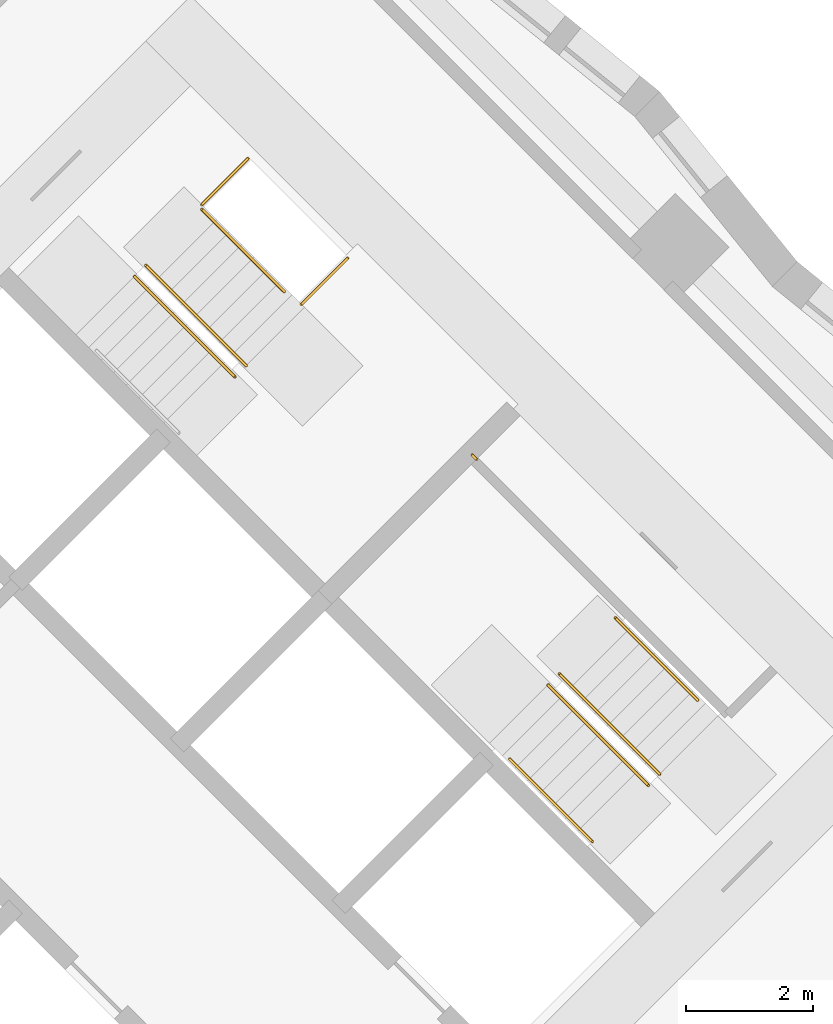
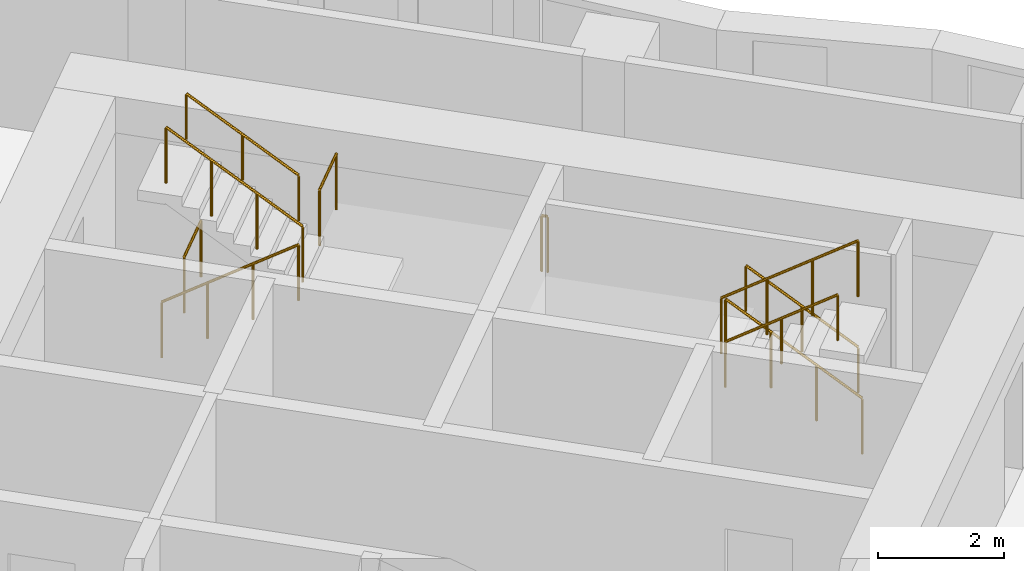
# One storey, part 13 of 13: 10 railings.
"""IFC4 building model written with IfcOpenShell, lengths in metres."""

from ifc_helpers import new_model, si_unit, direction, frame, origin, origin_2d, place, context, subcontext, project, spatial, circle, extrude, material, type_object, element, save


model = new_model("IFC4")

# Units and contexts
model_context = context("Model", 3, precision=1e-05, world=origin(), true_north=direction((0.0, 1.0)))
body_context = subcontext(model_context, "Body", "Model", "MODEL_VIEW")
ifc_project = project(units=[si_unit("LENGTHUNIT", "METRE"), si_unit("AREAUNIT", "SQUARE_METRE"), si_unit("VOLUMEUNIT", "CUBIC_METRE"), si_unit("PLANEANGLEUNIT", "RADIAN"), si_unit("MASSUNIT", "GRAM", prefix="KILO")], contexts=[model_context])

# Site, building, storey
site_placement = place(None, origin())
site = spatial("IfcSite", under=ifc_project, at=site_placement, CompositionType="ELEMENT")
building_placement = place(site_placement, origin())
building = spatial("IfcBuilding", under=site, at=building_placement, Name="Windrow Commons", CompositionType="ELEMENT")
storey_placement = place(building_placement, frame((0.0, 0.0, 33.8)))
storey = spatial("IfcBuildingStorey", under=building, at=storey_placement, Name="L08", CompositionType="ELEMENT", Elevation=33.8)

# Railings
ifc_material_1 = material(Name="Steel S355", Category="steel")
railing_type_1 = type_object("IfcRailingType", Name="Core stair guard 1100", PredefinedType="GUARDRAIL", material=ifc_material_1)
railing_1_placement = place(storey_placement, frame((85.9529, 56.2669, 0.1889)))
element("IfcRailing", 1, at=railing_1_placement, inside=storey, type_object=railing_type_1, Name="L08 ST-B1 stair guard 1", PredefinedType="GUARDRAIL", context=body_context, shape_type="SweptSolid", body=[
    extrude(circle(Radius=0.024, at=origin_2d()), frame((0.0, 0.0, 1.076), z_axis=(0.5861914914, -0.5861914914, 0.5592486664), x_axis=(0.7071067812, 0.7071067812, 0.0)), (0.0, 0.0, 1.0), 2.702),
    extrude(circle(Radius=0.021, at=origin_2d()), origin(), (0.0, 0.0, 1.0), 1.052),
    extrude(circle(Radius=0.021, at=origin_2d()), frame((0.528, -0.528, 0.5037)), (0.0, 0.0, 1.0), 1.052),
    extrude(circle(Radius=0.021, at=origin_2d()), frame((1.0559, -1.0559, 1.0074)), (0.0, 0.0, 1.0), 1.052),
    extrude(circle(Radius=0.021, at=origin_2d()), frame((1.5839, -1.5839, 1.5111)), (0.0, 0.0, 1.0), 1.052),
])
railing_2_placement = place(storey_placement, frame((87.7136, 54.8597, 1.8889)))
element("IfcRailing", 2, at=railing_2_placement, inside=storey, type_object=railing_type_1, Name="L08 ST-B1 stair guard 2", PredefinedType="GUARDRAIL", context=body_context, shape_type="SweptSolid", body=[
    extrude(circle(Radius=0.024, at=origin_2d()), frame((0.0, 0.0, 1.076), z_axis=(-0.5862030657, 0.5862030657, 0.5592244018), x_axis=(-0.7071067812, -0.7071067812, 0.0)), (0.0, 0.0, 1.0), 2.7021),
    extrude(circle(Radius=0.021, at=origin_2d()), origin(), (0.0, 0.0, 1.0), 1.052),
    extrude(circle(Radius=0.021, at=origin_2d()), frame((-0.528, 0.528, 0.5037)), (0.0, 0.0, 1.0), 1.052),
    extrude(circle(Radius=0.021, at=origin_2d()), frame((-1.056, 1.056, 1.0074)), (0.0, 0.0, 1.0), 1.052),
    extrude(circle(Radius=0.021, at=origin_2d()), frame((-1.584, 1.584, 1.5111)), (0.0, 0.0, 1.0), 1.052),
])
railing_3_placement = place(storey_placement, frame((87.0135, 57.3982, 0.0)))
element("IfcRailing", 3, at=railing_3_placement, inside=storey, type_object=railing_type_1, Name="L08 ST-B1 stair guard 3", PredefinedType="GUARDRAIL", context=body_context, shape_type="SweptSolid", body=[
    extrude(circle(Radius=0.024, at=origin_2d()), frame((0.0, 0.0, 1.076), z_axis=(0.7070582378, 0.7071553212, 0.0), x_axis=(-0.7071553212, 0.7070582378, 0.0)), (0.0, 0.0, 1.0), 1.03),
    extrude(circle(Radius=0.021, at=origin_2d()), origin(), (0.0, 0.0, 1.0), 1.052),
    extrude(circle(Radius=0.021, at=origin_2d()), frame((0.7283, 0.7284, 0.0)), (0.0, 0.0, 1.0), 1.052),
])
railing_4_placement = place(storey_placement, frame((88.5833, 55.8285, 1.7)))
element("IfcRailing", 4, at=railing_4_placement, inside=storey, type_object=railing_type_1, Name="L08 ST-B1 stair guard 4", PredefinedType="GUARDRAIL", context=body_context, shape_type="SweptSolid", body=[
    extrude(circle(Radius=0.024, at=origin_2d()), frame((0.0, 0.0, 1.076), z_axis=(0.7071067812, 0.7071067812, 0.0), x_axis=(-0.7071067812, 0.7071067812, 0.0)), (0.0, 0.0, 1.0), 1.03),
    extrude(circle(Radius=0.021, at=origin_2d()), origin(), (0.0, 0.0, 1.0), 1.052),
    extrude(circle(Radius=0.021, at=origin_2d()), frame((0.7283, 0.7283, 0.0)), (0.0, 0.0, 1.0), 1.052),
])
railing_5_placement = place(storey_placement, frame((94.2296, 48.4215, 0.1889)))
element("IfcRailing", 5, at=railing_5_placement, inside=storey, type_object=railing_type_1, Name="L08 ST-B2 stair guard 1", PredefinedType="GUARDRAIL", context=body_context, shape_type="SweptSolid", body=[
    extrude(circle(Radius=0.024, at=origin_2d()), frame((0.0, 0.0, 1.076), z_axis=(-0.5862157828, 0.5861787742, 0.5592365337), x_axis=(-0.7070844598, -0.7071291018, 0.0)), (0.0, 0.0, 1.0), 2.7021),
    extrude(circle(Radius=0.021, at=origin_2d()), origin(), (0.0, 0.0, 1.0), 1.052),
    extrude(circle(Radius=0.021, at=origin_2d()), frame((-0.528, 0.528, 0.5037)), (0.0, 0.0, 1.0), 1.052),
    extrude(circle(Radius=0.021, at=origin_2d()), frame((-1.056, 1.0559, 1.0074)), (0.0, 0.0, 1.0), 1.052),
    extrude(circle(Radius=0.021, at=origin_2d()), frame((-1.584, 1.5839, 1.5111)), (0.0, 0.0, 1.0), 1.052),
])
railing_6_placement = place(storey_placement, frame((92.4689, 49.8287, 1.8889)))
element("IfcRailing", 6, at=railing_6_placement, inside=storey, type_object=railing_type_1, Name="L08 ST-B2 stair guard 2", PredefinedType="GUARDRAIL", context=body_context, shape_type="SweptSolid", body=[
    extrude(circle(Radius=0.024, at=origin_2d()), frame((0.0, 0.0, 1.076), z_axis=(0.5861787742, -0.5862157828, 0.5592365337), x_axis=(0.7071291018, 0.7070844598, 0.0)), (0.0, 0.0, 1.0), 2.7021),
    extrude(circle(Radius=0.021, at=origin_2d()), origin(), (0.0, 0.0, 1.0), 1.052),
    extrude(circle(Radius=0.021, at=origin_2d()), frame((0.528, -0.528, 0.5037)), (0.0, 0.0, 1.0), 1.052),
    extrude(circle(Radius=0.021, at=origin_2d()), frame((1.0559, -1.056, 1.0074)), (0.0, 0.0, 1.0), 1.052),
    extrude(circle(Radius=0.021, at=origin_2d()), frame((1.5839, -1.584, 1.5111)), (0.0, 0.0, 1.0), 1.052),
])
railing_7_placement = place(storey_placement, frame((91.3446, 53.3854, 1.7)))
element("IfcRailing", 7, at=railing_7_placement, inside=storey, type_object=railing_type_1, Name="L08 ST-B2 stair guard 3", PredefinedType="GUARDRAIL", context=body_context, shape_type="SweptSolid", body=[
    extrude(circle(Radius=0.024, at=origin_2d()), frame((0.0, 0.0, 1.076), z_axis=(-0.7076063266, 0.7066068826, 0.0), x_axis=(-0.7066068826, -0.7076063266, 0.0)), (0.0, 0.0, 1.0), 0.1001),
    extrude(circle(Radius=0.021, at=origin_2d()), origin(), (0.0, 0.0, 1.0), 1.052),
    extrude(circle(Radius=0.021, at=origin_2d()), frame((-0.0708, 0.0707, 0.0)), (0.0, 0.0, 1.0), 1.052),
])
ifc_material_2 = material(Name="Steel S355", Category="steel")
railing_type_2 = type_object("IfcRailingType", Name="Core stair handrail 900", PredefinedType="HANDRAIL", material=ifc_material_2)
for number, where, name in (
    (8, (88.3146, 56.0265, 2.1587), "L08 ST-B1 stair handrail 2"),
    (9, (94.8306, 49.5883, 0.4587), "L08 ST-B2 stair handrail 1"),
):
    element("IfcRailing", number, at=place(storey_placement, frame(where)), inside=storey, type_object=railing_type_2, Name=name, PredefinedType="HANDRAIL", context=body_context, shape_type="SweptSolid", body=[
        extrude(circle(Radius=0.024, at=origin_2d()), frame((0.0, 0.0, 0.876), z_axis=(-0.586206706, 0.5861616513, 0.5592639952), x_axis=(-0.7070796062, -0.7071339551, 0.0)), (0.0, 0.0, 1.0), 2.2195),
        extrude(circle(Radius=0.021, at=origin_2d()), origin(), (0.0, 0.0, 1.0), 0.852),
        extrude(circle(Radius=0.021, at=origin_2d()), frame((-0.6506, 0.6505, 0.6207)), (0.0, 0.0, 1.0), 0.852),
        extrude(circle(Radius=0.021, at=origin_2d()), frame((-1.3011, 1.301, 1.2413)), (0.0, 0.0, 1.0), 0.852),
    ])
railing_8_placement = place(storey_placement, frame((91.8678, 48.6619, 2.1587)))
element("IfcRailing", 10, at=railing_8_placement, inside=storey, type_object=railing_type_2, Name="L08 ST-B2 stair handrail 2", PredefinedType="HANDRAIL", context=body_context, shape_type="SweptSolid", body=[
    extrude(circle(Radius=0.024, at=origin_2d()), frame((0.0, 0.0, 0.876), z_axis=(0.586206706, -0.5861616513, 0.5592639952), x_axis=(0.7070796062, 0.7071339551, 0.0)), (0.0, 0.0, 1.0), 2.2195),
    extrude(circle(Radius=0.021, at=origin_2d()), origin(), (0.0, 0.0, 1.0), 0.852),
    extrude(circle(Radius=0.021, at=origin_2d()), frame((0.6505, -0.6505, 0.6207)), (0.0, 0.0, 1.0), 0.852),
    extrude(circle(Radius=0.021, at=origin_2d()), frame((1.3011, -1.301, 1.2413)), (0.0, 0.0, 1.0), 0.852),
])

save(model, "model.ifc")
